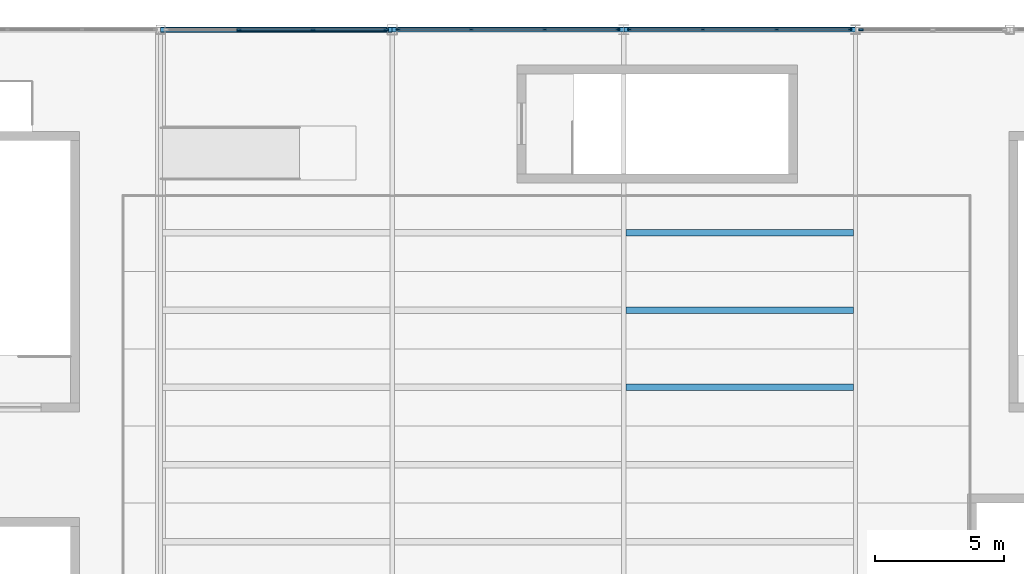
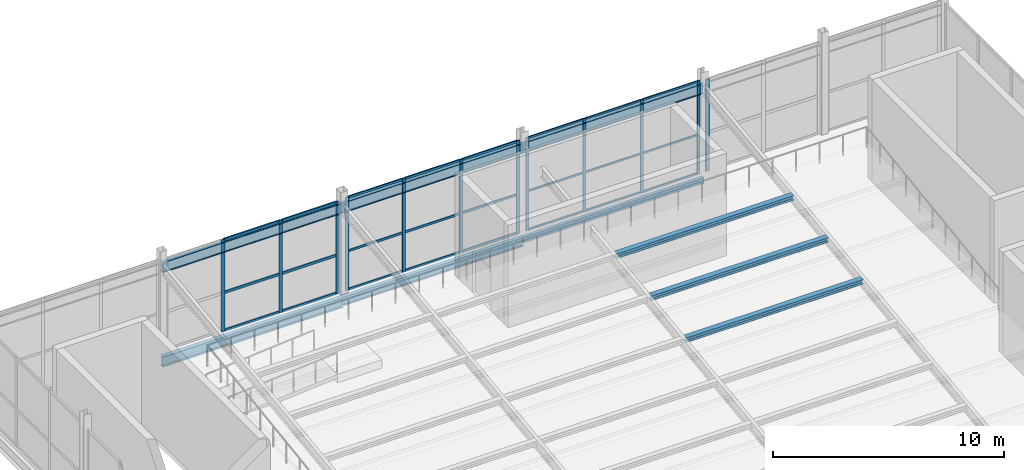
# One storey, part 62 of 119: 36 members, 9 beams, 4 elements without a shape of their own.
"""IFC4 building model written with IfcOpenShell, lengths in metres."""

from ifc_helpers import new_model, si_unit, direction, frame, origin, origin_2d, place, context, subcontext, project, spatial, rectangle, hollow_rectangle, i_section, extrude, material, layer, layer_set, material_profile, profile_set, type_object, element, aggregate, save


model = new_model("IFC4")

# Units and contexts
model_context = context("Model", 3, precision=1e-05, world=origin(), true_north=direction((0.0, 1.0)))
body_context = subcontext(model_context, "Body", "Model", "MODEL_VIEW")
ifc_project = project(units=[si_unit("LENGTHUNIT", "METRE"), si_unit("AREAUNIT", "SQUARE_METRE"), si_unit("VOLUMEUNIT", "CUBIC_METRE"), si_unit("PLANEANGLEUNIT", "RADIAN"), si_unit("MASSUNIT", "GRAM", prefix="KILO")], contexts=[model_context])

# Site, building, storey
site_placement = place(None, origin())
site = spatial("IfcSite", under=ifc_project, at=site_placement, CompositionType="ELEMENT")
building_placement = place(site_placement, origin())
building = spatial("IfcBuilding", under=site, at=building_placement, Name="Qamarlyn Nura Convention Centre", CompositionType="ELEMENT")
storey_placement = place(building_placement, frame((0.0, 0.0, 5.39990234375)))
storey = spatial("IfcBuildingStorey", under=building, at=storey_placement, Name="L01", CompositionType="ELEMENT", Elevation=5.39990234375)

# Beams
ifc_material_1 = material(Name="Steel ASTM A992", Category="steel")
ifc_material_profile_1 = material_profile(ifc_material_1, i_section(OverallWidth=0.25390625, OverallDepth=0.2529296875, WebThickness=0.008544921875, FlangeThickness=0.01416015625, FilletRadius=0.012939453125, at=origin_2d()), Name="W250X73")
ifc_profile_set_1 = profile_set([ifc_material_profile_1], Name="Steel ASTM A992")
beam_type_1 = type_object("IfcBeamType", Name="BM-PURL-250", PredefinedType="BEAM", material=ifc_profile_set_1)
for number, where, z_axis, x_axis, name in (
    (1, (171.0830078125, 112.10009765625, 2.756103515625), (1.0, 0.0, 0.0), (0.0, 1.0, 0.0), "Plenary tier cross beam 6-171"),
    (2, (171.0830078125, 115.10009765625, 3.15185546875), (1.0, 0.0, 0.0), (0.0, 1.0, 0.0), "Plenary tier cross beam 7-171"),
    (3, (171.0830078125, 118.10009765625, 3.547607421875), (1.0, 0.0, 0.0), (0.0, 1.0, 0.0), "Plenary tier cross beam 8-171"),
):
    element("IfcBeam", number, at=place(storey_placement, frame(where, z_axis=z_axis, x_axis=x_axis)), inside=storey, type_object=beam_type_1, Name=name, PredefinedType="BEAM", context=body_context, shape_type="SweptSolid", body=[
        extrude(i_section(OverallWidth=0.25390625, OverallDepth=0.2529296875, WebThickness=0.008544921875, FlangeThickness=0.01416015625, FilletRadius=0.012939453125, at=origin_2d()), origin(), (0.0, 0.0, 1.0), 8.833984375),
    ])
ifc_material_profile_2 = material_profile(ifc_material_1, i_section(OverallWidth=0.166015625, OverallDepth=0.534912109375, WebThickness=0.01025390625, FlangeThickness=0.0166015625, FilletRadius=0.013916015625, at=origin_2d()), Name="W530X85")
ifc_profile_set_2 = profile_set([ifc_material_profile_2], Name="Steel ASTM A992")
beam_type_2 = type_object("IfcBeamType", Name="BM-RAKER-01", PredefinedType="BEAM", material=ifc_profile_set_2)
for number, where, z_axis, x_axis, name in (
    (4, (153.0, 126.0, 4.4501953125), (1.0, 0.0, 0.0), (0.0, 1.0, 0.0), "Plenary stand rear header girder 153-162"),
    (5, (162.0, 126.0, 4.4501953125), (1.0, 0.0, 0.0), (0.0, 1.0, 0.0), "Plenary stand rear header girder 162-171"),
    (6, (171.0, 126.0, 4.4501953125), (1.0, 0.0, 0.0), (0.0, 1.0, 0.0), "Plenary stand rear header girder 171-180"),
):
    element("IfcBeam", number, at=place(storey_placement, frame(where, z_axis=z_axis, x_axis=x_axis)), inside=storey, type_object=beam_type_2, Name=name, PredefinedType="BEAM", context=body_context, shape_type="SweptSolid", body=[
        extrude(i_section(OverallWidth=0.166015625, OverallDepth=0.534912109375, WebThickness=0.01025390625, FlangeThickness=0.0166015625, FilletRadius=0.013916015625, at=origin_2d()), origin(), (0.0, 0.0, 1.0), 9.0),
    ])
ifc_material_profile_3 = material_profile(ifc_material_1, i_section(OverallWidth=0.193115234375, OverallDepth=0.466064453125, WebThickness=0.011474609375, FlangeThickness=0.01904296875, FilletRadius=0.012939453125, at=origin_2d()), Name="W460X97")
ifc_profile_set_3 = profile_set([ifc_material_profile_3], Name="Steel ASTM A992")
beam_type_3 = type_object("IfcBeamType", Name="BM-SPAN-460", PredefinedType="SPANDREL", material=ifc_profile_set_3)
beam_1_placement = place(storey_placement, frame((162.0, 126.0, -0.472900390625), z_axis=(1.0, 0.0, 0.0), x_axis=(0.0, 1.0, 0.0)))
element("IfcBeam", 7, at=beam_1_placement, inside=storey, type_object=beam_type_3, Name="L01 girder Q 14-15", PredefinedType="SPANDREL", context=body_context, shape_type="SweptSolid", body=[
    extrude(i_section(OverallWidth=0.193115234375, OverallDepth=0.466064453125, WebThickness=0.011474609375, FlangeThickness=0.01904296875, FilletRadius=0.012939453125, at=origin_2d()), origin(), (0.0, 0.0, 1.0), 9.0),
])
ifc_material_profile_4 = material_profile(ifc_material_1, i_section(OverallWidth=0.2109375, OverallDepth=0.5390625, WebThickness=0.01171875, FlangeThickness=0.018798828125, FilletRadius=0.013916015625, at=origin_2d()), Name="W530X109")
ifc_profile_set_4 = profile_set([ifc_material_profile_4], Name="Steel ASTM A992")
beam_type_4 = type_object("IfcBeamType", Name="BM-SPAN-530", PredefinedType="SPANDREL", material=ifc_profile_set_4)
beam_2_placement = place(storey_placement, frame((153.0, 126.0, -0.509521484375), z_axis=(1.0, 0.0, 0.0), x_axis=(0.0, 1.0, 0.0)))
element("IfcBeam", 8, at=beam_2_placement, inside=storey, type_object=beam_type_4, Name="L01 girder Q 13-14", PredefinedType="SPANDREL", context=body_context, shape_type="SweptSolid", body=[
    extrude(i_section(OverallWidth=0.2109375, OverallDepth=0.5390625, WebThickness=0.01171875, FlangeThickness=0.018798828125, FilletRadius=0.013916015625, at=origin_2d()), origin(), (0.0, 0.0, 1.0), 9.0),
])
ifc_material_2 = material(Name="Steel ASTM A500 Grade C", Category="steel")
ifc_material_profile_5 = material_profile(ifc_material_2, hollow_rectangle(XDim=0.199951171875, YDim=0.300048828125, WallThickness=0.012451171875, InnerFilletRadius=0.012451171875, OuterFilletRadius=0.02490234375, at=origin_2d()), Name="HSS300X200X12.5")
ifc_profile_set_5 = profile_set([ifc_material_profile_5], Name="Steel ASTM A500 Grade C")
beam_type_5 = type_object("IfcBeamType", Name="BM-SPAN-HSS", PredefinedType="SPANDREL", material=ifc_profile_set_5)
beam_3_placement = place(storey_placement, frame((171.0, 126.0, -0.389892578125), z_axis=(1.0, 0.0, 0.0), x_axis=(0.0, 1.0, 0.0)))
element("IfcBeam", 9, at=beam_3_placement, inside=storey, type_object=beam_type_5, Name="L01 girder Q 15-16", PredefinedType="SPANDREL", context=body_context, shape_type="SweptSolid", body=[
    extrude(hollow_rectangle(XDim=0.199951171875, YDim=0.300048828125, WallThickness=0.012451171875, InnerFilletRadius=0.012451171875, OuterFilletRadius=0.02490234375, at=origin_2d()), origin(), (0.0, 0.0, 1.0), 9.0),
])

# Curtain wall, members
ifc_material_3 = material(Name="Double-silver low-E insulated glass", Category="glass")
ifc_layer_1 = layer(ifc_material_3, 0.179931640625, Name="CW-UNIT-89")
ifc_layer_set_1 = layer_set([ifc_layer_1], Name="Double-silver low-E insulated glass")
curtain_wall_type_1 = type_object("IfcCurtainWallType", Name="CW-UNIT-89", PredefinedType="NOTDEFINED", material=ifc_layer_set_1)
curtain_wall_1_placement = place(storey_placement, origin())
curtain_wall_1 = element("IfcCurtainWall", 10, at=curtain_wall_1_placement, inside=storey, type_object=curtain_wall_type_1, Name="L01 unitised curtain wall PLN-N4-1", PredefinedType="NOTDEFINED")
ifc_material_4 = material(Name="Champagne-anodised marine aluminium", Category="aluminium")
ifc_material_profile_6 = material_profile(ifc_material_4, rectangle(XDim=0.06005859375, YDim=0.139892578125, at=origin_2d()), Name="ALU MULLION 60x140")
ifc_profile_set_6 = profile_set([ifc_material_profile_6], Name="Champagne-anodised marine aluminium")
member_type_1 = type_object("IfcMemberType", Name="CWM-140", PredefinedType="MULLION", material=ifc_profile_set_6)
member_1_placement = place(storey_placement, frame((171.2294921875, 126.0, 0.0), z_axis=(0.0, 0.0, 1.0), x_axis=(0.0, 1.0, 0.0)))
member_1 = element("IfcMember", 11, at=member_1_placement, type_object=member_type_1, Name="CW89 mullion 1", PredefinedType="MULLION", context=body_context, shape_type="SweptSolid", body=[
    extrude(rectangle(XDim=0.06005859375, YDim=0.139892578125, at=origin_2d()), origin(), (0.0, 0.0, 1.0), 4.91015625),
])
member_2_placement = place(storey_placement, frame((174.070556640625, 126.0, 0.0), z_axis=(0.0, 0.0, 1.0), x_axis=(0.0, 1.0, 0.0)))
member_2 = element("IfcMember", 12, at=member_2_placement, type_object=member_type_1, Name="CW89 mullion 2", PredefinedType="MULLION", context=body_context, shape_type="SweptSolid", body=[
    extrude(rectangle(XDim=0.06005859375, YDim=0.139892578125, at=origin_2d()), origin(), (0.0, 0.0, 1.0), 4.91015625),
])
member_3_placement = place(storey_placement, frame((176.94189453125, 126.0, 0.0), z_axis=(0.0, 0.0, 1.0), x_axis=(0.0, 1.0, 0.0)))
member_3 = element("IfcMember", 13, at=member_3_placement, type_object=member_type_1, Name="CW89 mullion 3", PredefinedType="MULLION", context=body_context, shape_type="SweptSolid", body=[
    extrude(rectangle(XDim=0.06005859375, YDim=0.139892578125, at=origin_2d()), origin(), (0.0, 0.0, 1.0), 4.91015625),
])
member_4_placement = place(storey_placement, frame((179.782958984375, 126.0, 0.0), z_axis=(0.0, 0.0, 1.0), x_axis=(0.0, 1.0, 0.0)))
member_4 = element("IfcMember", 14, at=member_4_placement, type_object=member_type_1, Name="CW89 mullion 4", PredefinedType="MULLION", context=body_context, shape_type="SweptSolid", body=[
    extrude(rectangle(XDim=0.06005859375, YDim=0.139892578125, at=origin_2d()), origin(), (0.0, 0.0, 1.0), 4.91015625),
])

ifc_layer_2 = layer(ifc_material_3, 0.179931640625, Name="CW-UNIT-88")
ifc_layer_set_2 = layer_set([ifc_layer_2], Name="Double-silver low-E insulated glass")
curtain_wall_type_2 = type_object("IfcCurtainWallType", Name="CW-UNIT-88", PredefinedType="NOTDEFINED", material=ifc_layer_set_2)
curtain_wall_2_placement = place(storey_placement, origin())
curtain_wall_2 = element("IfcCurtainWall", 15, at=curtain_wall_2_placement, inside=storey, type_object=curtain_wall_type_2, Name="L01 unitised curtain wall PLN-N3-1", PredefinedType="NOTDEFINED")
ifc_material_profile_7 = material_profile(ifc_material_4, rectangle(XDim=0.06494140625, YDim=0.159912109375, at=origin_2d()), Name="ALU MULLION 65x160")
ifc_profile_set_7 = profile_set([ifc_material_profile_7], Name="Champagne-anodised marine aluminium")
member_type_2 = type_object("IfcMemberType", Name="CWM-160", PredefinedType="MULLION", material=ifc_profile_set_7)
member_5_placement = place(storey_placement, frame((162.232421875, 126.0, 0.0), z_axis=(0.0, 0.0, 1.0), x_axis=(0.0, 1.0, 0.0)))
member_5 = element("IfcMember", 16, at=member_5_placement, type_object=member_type_2, Name="CW88 mullion 1", PredefinedType="MULLION", context=body_context, shape_type="SweptSolid", body=[
    extrude(rectangle(XDim=0.06494140625, YDim=0.159912109375, at=origin_2d()), origin(), (0.0, 0.0, 1.0), 4.91015625),
])
member_6_placement = place(storey_placement, frame((165.06689453125, 126.0, 0.0), z_axis=(0.0, 0.0, 1.0), x_axis=(0.0, 1.0, 0.0)))
member_6 = element("IfcMember", 17, at=member_6_placement, type_object=member_type_2, Name="CW88 mullion 2", PredefinedType="MULLION", context=body_context, shape_type="SweptSolid", body=[
    extrude(rectangle(XDim=0.06494140625, YDim=0.159912109375, at=origin_2d()), origin(), (0.0, 0.0, 1.0), 4.91015625),
])
member_7_placement = place(storey_placement, frame((167.93359375, 126.0, 0.0), z_axis=(0.0, 0.0, 1.0), x_axis=(0.0, 1.0, 0.0)))
member_7 = element("IfcMember", 18, at=member_7_placement, type_object=member_type_2, Name="CW88 mullion 3", PredefinedType="MULLION", context=body_context, shape_type="SweptSolid", body=[
    extrude(rectangle(XDim=0.06494140625, YDim=0.159912109375, at=origin_2d()), origin(), (0.0, 0.0, 1.0), 4.91015625),
])
member_8_placement = place(storey_placement, frame((170.76806640625, 126.0, 0.0), z_axis=(0.0, 0.0, 1.0), x_axis=(0.0, 1.0, 0.0)))
member_8 = element("IfcMember", 19, at=member_8_placement, type_object=member_type_2, Name="CW88 mullion 4", PredefinedType="MULLION", context=body_context, shape_type="SweptSolid", body=[
    extrude(rectangle(XDim=0.06494140625, YDim=0.159912109375, at=origin_2d()), origin(), (0.0, 0.0, 1.0), 4.91015625),
])

ifc_layer_3 = layer(ifc_material_3, 0.179931640625, Name="CW-UNIT-75")
ifc_layer_set_3 = layer_set([ifc_layer_3], Name="Double-silver low-E insulated glass")
curtain_wall_type_3 = type_object("IfcCurtainWallType", Name="CW-UNIT-75", PredefinedType="NOTDEFINED", material=ifc_layer_set_3)
curtain_wall_3_placement = place(storey_placement, origin())
curtain_wall_3 = element("IfcCurtainWall", 20, at=curtain_wall_3_placement, inside=storey, type_object=curtain_wall_type_3, Name="L01 unitised curtain wall PLN-N2-1", PredefinedType="NOTDEFINED")
ifc_material_profile_8 = material_profile(ifc_material_4, rectangle(XDim=0.070068359375, YDim=0.179931640625, at=origin_2d()), Name="ALU MULLION 70x180")
ifc_profile_set_8 = profile_set([ifc_material_profile_8], Name="Champagne-anodised marine aluminium")
member_type_3 = type_object("IfcMemberType", Name="CWM-180", PredefinedType="MULLION", material=ifc_profile_set_8)
member_9_placement = place(storey_placement, frame((156.050048828125, 126.0, 0.0), z_axis=(0.0, 0.0, 1.0), x_axis=(0.0, 1.0, 0.0)))
member_9 = element("IfcMember", 21, at=member_9_placement, type_object=member_type_3, Name="CW75 mullion 2", PredefinedType="MULLION", context=body_context, shape_type="SweptSolid", body=[
    extrude(rectangle(XDim=0.070068359375, YDim=0.179931640625, at=origin_2d()), origin(), (0.0, 0.0, 1.0), 4.84619140625),
])
member_10_placement = place(storey_placement, frame((158.925048828125, 126.0, 0.0), z_axis=(0.0, 0.0, 1.0), x_axis=(0.0, 1.0, 0.0)))
member_10 = element("IfcMember", 22, at=member_10_placement, type_object=member_type_3, Name="CW75 mullion 3", PredefinedType="MULLION", context=body_context, shape_type="SweptSolid", body=[
    extrude(rectangle(XDim=0.070068359375, YDim=0.179931640625, at=origin_2d()), origin(), (0.0, 0.0, 1.0), 4.84619140625),
])
member_11_placement = place(storey_placement, frame((161.764892578125, 126.0, 0.0), z_axis=(0.0, 0.0, 1.0), x_axis=(0.0, 1.0, 0.0)))
member_11 = element("IfcMember", 23, at=member_11_placement, type_object=member_type_3, Name="CW75 mullion 4", PredefinedType="MULLION", context=body_context, shape_type="SweptSolid", body=[
    extrude(rectangle(XDim=0.070068359375, YDim=0.179931640625, at=origin_2d()), origin(), (0.0, 0.0, 1.0), 4.84619140625),
])

# Curtain wall, member
ifc_layer_4 = layer(ifc_material_3, 0.179931640625, Name="CW-UNIT-90")
ifc_layer_set_4 = layer_set([ifc_layer_4], Name="Double-silver low-E insulated glass")
curtain_wall_type_4 = type_object("IfcCurtainWallType", Name="CW-UNIT-90", PredefinedType="NOTDEFINED", material=ifc_layer_set_4)
curtain_wall_4_placement = place(storey_placement, origin())
curtain_wall_4 = element("IfcCurtainWall", 24, at=curtain_wall_4_placement, inside=storey, type_object=curtain_wall_type_4, Name="L01 unitised curtain wall PLN-N5-1", PredefinedType="NOTDEFINED")
member_12_placement = place(storey_placement, frame((180.221923828125, 126.0, 0.0), z_axis=(0.0, 0.0, 1.0), x_axis=(0.0, 1.0, 0.0)))
member_12 = element("IfcMember", 25, at=member_12_placement, type_object=member_type_3, Name="CW90 mullion 1", PredefinedType="MULLION", context=body_context, shape_type="SweptSolid", body=[
    extrude(rectangle(XDim=0.070068359375, YDim=0.179931640625, at=origin_2d()), origin(), (0.0, 0.0, 1.0), 4.84619140625),
])
aggregate(curtain_wall_4, [member_12])

# Member
ifc_material_profile_9 = material_profile(ifc_material_4, rectangle(XDim=0.06005859375, YDim=0.10009765625, at=origin_2d()), Name="ALU TRANSOM 60x100")
ifc_profile_set_9 = profile_set([ifc_material_profile_9], Name="Champagne-anodised marine aluminium")
member_type_4 = type_object("IfcMemberType", Name="CWT-100", PredefinedType="USERDEFINED", material=ifc_profile_set_9)
member_13_placement = place(storey_placement, frame((171.259521484375, 126.0, 0.030029296875), z_axis=(1.0, 0.0, 0.0), x_axis=(0.0, 1.0, 0.0)))
member_13 = element("IfcMember", 26, at=member_13_placement, type_object=member_type_4, Name="CW89 transom 1.1", ObjectType="TRANSOM", PredefinedType="USERDEFINED", context=body_context, shape_type="SweptSolid", body=[
    extrude(rectangle(XDim=0.06005859375, YDim=0.10009765625, at=origin_2d()), origin(), (0.0, 0.0, 1.0), 2.78125),
])

member_14_placement = place(storey_placement, frame((171.259521484375, 126.0, 2.06201171875), z_axis=(1.0, 0.0, 0.0), x_axis=(0.0, 1.0, 0.0)))
member_14 = element("IfcMember", 27, at=member_14_placement, type_object=member_type_4, Name="CW89 transom 1.2", ObjectType="TRANSOM", PredefinedType="USERDEFINED", context=body_context, shape_type="SweptSolid", body=[
    extrude(rectangle(XDim=0.06005859375, YDim=0.10009765625, at=origin_2d()), origin(), (0.0, 0.0, 1.0), 2.78125),
])

member_15_placement = place(storey_placement, frame((171.259521484375, 126.0, 4.880126953125), z_axis=(1.0, 0.0, 0.0), x_axis=(0.0, 1.0, 0.0)))
member_15 = element("IfcMember", 28, at=member_15_placement, type_object=member_type_4, Name="CW89 transom 1.3", ObjectType="TRANSOM", PredefinedType="USERDEFINED", context=body_context, shape_type="SweptSolid", body=[
    extrude(rectangle(XDim=0.06005859375, YDim=0.10009765625, at=origin_2d()), origin(), (0.0, 0.0, 1.0), 2.78125),
])

member_16_placement = place(storey_placement, frame((174.1005859375, 126.0, 0.030029296875), z_axis=(1.0, 0.0, 0.0), x_axis=(0.0, 1.0, 0.0)))
member_16 = element("IfcMember", 29, at=member_16_placement, type_object=member_type_4, Name="CW89 transom 2.1", ObjectType="TRANSOM", PredefinedType="USERDEFINED", context=body_context, shape_type="SweptSolid", body=[
    extrude(rectangle(XDim=0.06005859375, YDim=0.10009765625, at=origin_2d()), origin(), (0.0, 0.0, 1.0), 2.811279296875),
])

member_17_placement = place(storey_placement, frame((174.1005859375, 126.0, 2.06201171875), z_axis=(1.0, 0.0, 0.0), x_axis=(0.0, 1.0, 0.0)))
member_17 = element("IfcMember", 30, at=member_17_placement, type_object=member_type_4, Name="CW89 transom 2.2", ObjectType="TRANSOM", PredefinedType="USERDEFINED", context=body_context, shape_type="SweptSolid", body=[
    extrude(rectangle(XDim=0.06005859375, YDim=0.10009765625, at=origin_2d()), origin(), (0.0, 0.0, 1.0), 2.811279296875),
])

member_18_placement = place(storey_placement, frame((174.1005859375, 126.0, 4.880126953125), z_axis=(1.0, 0.0, 0.0), x_axis=(0.0, 1.0, 0.0)))
member_18 = element("IfcMember", 31, at=member_18_placement, type_object=member_type_4, Name="CW89 transom 2.3", ObjectType="TRANSOM", PredefinedType="USERDEFINED", context=body_context, shape_type="SweptSolid", body=[
    extrude(rectangle(XDim=0.06005859375, YDim=0.10009765625, at=origin_2d()), origin(), (0.0, 0.0, 1.0), 2.811279296875),
])

member_19_placement = place(storey_placement, frame((176.971923828125, 126.0, 0.030029296875), z_axis=(1.0, 0.0, 0.0), x_axis=(0.0, 1.0, 0.0)))
member_19 = element("IfcMember", 32, at=member_19_placement, type_object=member_type_4, Name="CW89 transom 3.1", ObjectType="TRANSOM", PredefinedType="USERDEFINED", context=body_context, shape_type="SweptSolid", body=[
    extrude(rectangle(XDim=0.06005859375, YDim=0.10009765625, at=origin_2d()), origin(), (0.0, 0.0, 1.0), 2.781005859375),
])

member_20_placement = place(storey_placement, frame((176.971923828125, 126.0, 2.06201171875), z_axis=(1.0, 0.0, 0.0), x_axis=(0.0, 1.0, 0.0)))
member_20 = element("IfcMember", 33, at=member_20_placement, type_object=member_type_4, Name="CW89 transom 3.2", ObjectType="TRANSOM", PredefinedType="USERDEFINED", context=body_context, shape_type="SweptSolid", body=[
    extrude(rectangle(XDim=0.06005859375, YDim=0.10009765625, at=origin_2d()), origin(), (0.0, 0.0, 1.0), 2.781005859375),
])

member_21_placement = place(storey_placement, frame((176.971923828125, 126.0, 4.880126953125), z_axis=(1.0, 0.0, 0.0), x_axis=(0.0, 1.0, 0.0)))
member_21 = element("IfcMember", 34, at=member_21_placement, type_object=member_type_4, Name="CW89 transom 3.3", ObjectType="TRANSOM", PredefinedType="USERDEFINED", context=body_context, shape_type="SweptSolid", body=[
    extrude(rectangle(XDim=0.06005859375, YDim=0.10009765625, at=origin_2d()), origin(), (0.0, 0.0, 1.0), 2.781005859375),
])

aggregate(curtain_wall_1, [member_1, member_2, member_3, member_4, member_13, member_14, member_15, member_16, member_17, member_18, member_19, member_20, member_21])

ifc_material_profile_10 = material_profile(ifc_material_4, rectangle(XDim=0.06494140625, YDim=0.1201171875, at=origin_2d()), Name="ALU TRANSOM 65x120")
ifc_profile_set_10 = profile_set([ifc_material_profile_10], Name="Champagne-anodised marine aluminium")
member_type_5 = type_object("IfcMemberType", Name="CWT-120", PredefinedType="USERDEFINED", material=ifc_profile_set_10)
member_22_placement = place(storey_placement, frame((162.264892578125, 126.0, 0.03271484375), z_axis=(1.0, 0.0, 0.0), x_axis=(0.0, 1.0, 0.0)))
member_22 = element("IfcMember", 35, at=member_22_placement, type_object=member_type_5, Name="CW88 transom 1.1", ObjectType="TRANSOM", PredefinedType="USERDEFINED", context=body_context, shape_type="SweptSolid", body=[
    extrude(rectangle(XDim=0.06494140625, YDim=0.1201171875, at=origin_2d()), origin(), (0.0, 0.0, 1.0), 2.76953125),
])

member_23_placement = place(storey_placement, frame((162.264892578125, 126.0, 2.06201171875), z_axis=(1.0, 0.0, 0.0), x_axis=(0.0, 1.0, 0.0)))
member_23 = element("IfcMember", 36, at=member_23_placement, type_object=member_type_5, Name="CW88 transom 1.2", ObjectType="TRANSOM", PredefinedType="USERDEFINED", context=body_context, shape_type="SweptSolid", body=[
    extrude(rectangle(XDim=0.06494140625, YDim=0.1201171875, at=origin_2d()), origin(), (0.0, 0.0, 1.0), 2.76953125),
])

member_24_placement = place(storey_placement, frame((162.264892578125, 126.0, 4.877685546875), z_axis=(1.0, 0.0, 0.0), x_axis=(0.0, 1.0, 0.0)))
member_24 = element("IfcMember", 37, at=member_24_placement, type_object=member_type_5, Name="CW88 transom 1.3", ObjectType="TRANSOM", PredefinedType="USERDEFINED", context=body_context, shape_type="SweptSolid", body=[
    extrude(rectangle(XDim=0.06494140625, YDim=0.1201171875, at=origin_2d()), origin(), (0.0, 0.0, 1.0), 2.76953125),
])

member_25_placement = place(storey_placement, frame((165.099365234375, 126.0, 0.03271484375), z_axis=(1.0, 0.0, 0.0), x_axis=(0.0, 1.0, 0.0)))
member_25 = element("IfcMember", 38, at=member_25_placement, type_object=member_type_5, Name="CW88 transom 2.1", ObjectType="TRANSOM", PredefinedType="USERDEFINED", context=body_context, shape_type="SweptSolid", body=[
    extrude(rectangle(XDim=0.06494140625, YDim=0.1201171875, at=origin_2d()), origin(), (0.0, 0.0, 1.0), 2.8017578125),
])

member_26_placement = place(storey_placement, frame((165.099365234375, 126.0, 2.06201171875), z_axis=(1.0, 0.0, 0.0), x_axis=(0.0, 1.0, 0.0)))
member_26 = element("IfcMember", 39, at=member_26_placement, type_object=member_type_5, Name="CW88 transom 2.2", ObjectType="TRANSOM", PredefinedType="USERDEFINED", context=body_context, shape_type="SweptSolid", body=[
    extrude(rectangle(XDim=0.06494140625, YDim=0.1201171875, at=origin_2d()), origin(), (0.0, 0.0, 1.0), 2.8017578125),
])

member_27_placement = place(storey_placement, frame((165.099365234375, 126.0, 4.877685546875), z_axis=(1.0, 0.0, 0.0), x_axis=(0.0, 1.0, 0.0)))
member_27 = element("IfcMember", 40, at=member_27_placement, type_object=member_type_5, Name="CW88 transom 2.3", ObjectType="TRANSOM", PredefinedType="USERDEFINED", context=body_context, shape_type="SweptSolid", body=[
    extrude(rectangle(XDim=0.06494140625, YDim=0.1201171875, at=origin_2d()), origin(), (0.0, 0.0, 1.0), 2.8017578125),
])

member_28_placement = place(storey_placement, frame((167.966064453125, 126.0, 0.03271484375), z_axis=(1.0, 0.0, 0.0), x_axis=(0.0, 1.0, 0.0)))
member_28 = element("IfcMember", 41, at=member_28_placement, type_object=member_type_5, Name="CW88 transom 3.1", ObjectType="TRANSOM", PredefinedType="USERDEFINED", context=body_context, shape_type="SweptSolid", body=[
    extrude(rectangle(XDim=0.06494140625, YDim=0.1201171875, at=origin_2d()), origin(), (0.0, 0.0, 1.0), 2.76953125),
])

member_29_placement = place(storey_placement, frame((167.966064453125, 126.0, 2.06201171875), z_axis=(1.0, 0.0, 0.0), x_axis=(0.0, 1.0, 0.0)))
member_29 = element("IfcMember", 42, at=member_29_placement, type_object=member_type_5, Name="CW88 transom 3.2", ObjectType="TRANSOM", PredefinedType="USERDEFINED", context=body_context, shape_type="SweptSolid", body=[
    extrude(rectangle(XDim=0.06494140625, YDim=0.1201171875, at=origin_2d()), origin(), (0.0, 0.0, 1.0), 2.76953125),
])

member_30_placement = place(storey_placement, frame((167.966064453125, 126.0, 4.877685546875), z_axis=(1.0, 0.0, 0.0), x_axis=(0.0, 1.0, 0.0)))
member_30 = element("IfcMember", 43, at=member_30_placement, type_object=member_type_5, Name="CW88 transom 3.3", ObjectType="TRANSOM", PredefinedType="USERDEFINED", context=body_context, shape_type="SweptSolid", body=[
    extrude(rectangle(XDim=0.06494140625, YDim=0.1201171875, at=origin_2d()), origin(), (0.0, 0.0, 1.0), 2.76953125),
])

aggregate(curtain_wall_2, [member_5, member_6, member_7, member_8, member_22, member_23, member_24, member_25, member_26, member_27, member_28, member_29, member_30])

ifc_material_profile_11 = material_profile(ifc_material_4, rectangle(XDim=0.070068359375, YDim=0.139892578125, at=origin_2d()), Name="ALU TRANSOM 70x140")
ifc_profile_set_11 = profile_set([ifc_material_profile_11], Name="Champagne-anodised marine aluminium")
member_type_6 = type_object("IfcMemberType", Name="CWT-140", PredefinedType="USERDEFINED", material=ifc_profile_set_11)
member_31_placement = place(storey_placement, frame((156.0849609375, 126.0, 0.03515625), z_axis=(1.0, 0.0, 0.0), x_axis=(0.0, 1.0, 0.0)))
member_31 = element("IfcMember", 44, at=member_31_placement, type_object=member_type_6, Name="CW75 transom 2.1", ObjectType="TRANSOM", PredefinedType="USERDEFINED", context=body_context, shape_type="SweptSolid", body=[
    extrude(rectangle(XDim=0.070068359375, YDim=0.139892578125, at=origin_2d()), origin(), (0.0, 0.0, 1.0), 2.804931640625),
])

member_32_placement = place(storey_placement, frame((156.0849609375, 126.0, 2.03515625), z_axis=(1.0, 0.0, 0.0), x_axis=(0.0, 1.0, 0.0)))
member_32 = element("IfcMember", 45, at=member_32_placement, type_object=member_type_6, Name="CW75 transom 2.2", ObjectType="TRANSOM", PredefinedType="USERDEFINED", context=body_context, shape_type="SweptSolid", body=[
    extrude(rectangle(XDim=0.070068359375, YDim=0.139892578125, at=origin_2d()), origin(), (0.0, 0.0, 1.0), 2.804931640625),
])

member_33_placement = place(storey_placement, frame((156.0849609375, 126.0, 4.81103515625), z_axis=(1.0, 0.0, 0.0), x_axis=(0.0, 1.0, 0.0)))
member_33 = element("IfcMember", 46, at=member_33_placement, type_object=member_type_6, Name="CW75 transom 2.3", ObjectType="TRANSOM", PredefinedType="USERDEFINED", context=body_context, shape_type="SweptSolid", body=[
    extrude(rectangle(XDim=0.070068359375, YDim=0.139892578125, at=origin_2d()), origin(), (0.0, 0.0, 1.0), 2.804931640625),
])

member_34_placement = place(storey_placement, frame((158.9599609375, 126.0, 0.03515625), z_axis=(1.0, 0.0, 0.0), x_axis=(0.0, 1.0, 0.0)))
member_34 = element("IfcMember", 47, at=member_34_placement, type_object=member_type_6, Name="CW75 transom 3.1", ObjectType="TRANSOM", PredefinedType="USERDEFINED", context=body_context, shape_type="SweptSolid", body=[
    extrude(rectangle(XDim=0.070068359375, YDim=0.139892578125, at=origin_2d()), origin(), (0.0, 0.0, 1.0), 2.77001953125),
])

member_35_placement = place(storey_placement, frame((158.9599609375, 126.0, 2.03515625), z_axis=(1.0, 0.0, 0.0), x_axis=(0.0, 1.0, 0.0)))
member_35 = element("IfcMember", 48, at=member_35_placement, type_object=member_type_6, Name="CW75 transom 3.2", ObjectType="TRANSOM", PredefinedType="USERDEFINED", context=body_context, shape_type="SweptSolid", body=[
    extrude(rectangle(XDim=0.070068359375, YDim=0.139892578125, at=origin_2d()), origin(), (0.0, 0.0, 1.0), 2.77001953125),
])

member_36_placement = place(storey_placement, frame((158.9599609375, 126.0, 4.81103515625), z_axis=(1.0, 0.0, 0.0), x_axis=(0.0, 1.0, 0.0)))
member_36 = element("IfcMember", 49, at=member_36_placement, type_object=member_type_6, Name="CW75 transom 3.3", ObjectType="TRANSOM", PredefinedType="USERDEFINED", context=body_context, shape_type="SweptSolid", body=[
    extrude(rectangle(XDim=0.070068359375, YDim=0.139892578125, at=origin_2d()), origin(), (0.0, 0.0, 1.0), 2.77001953125),
])

aggregate(curtain_wall_3, [member_9, member_10, member_11, member_31, member_32, member_33, member_34, member_35, member_36])

save(model, "model.ifc")
